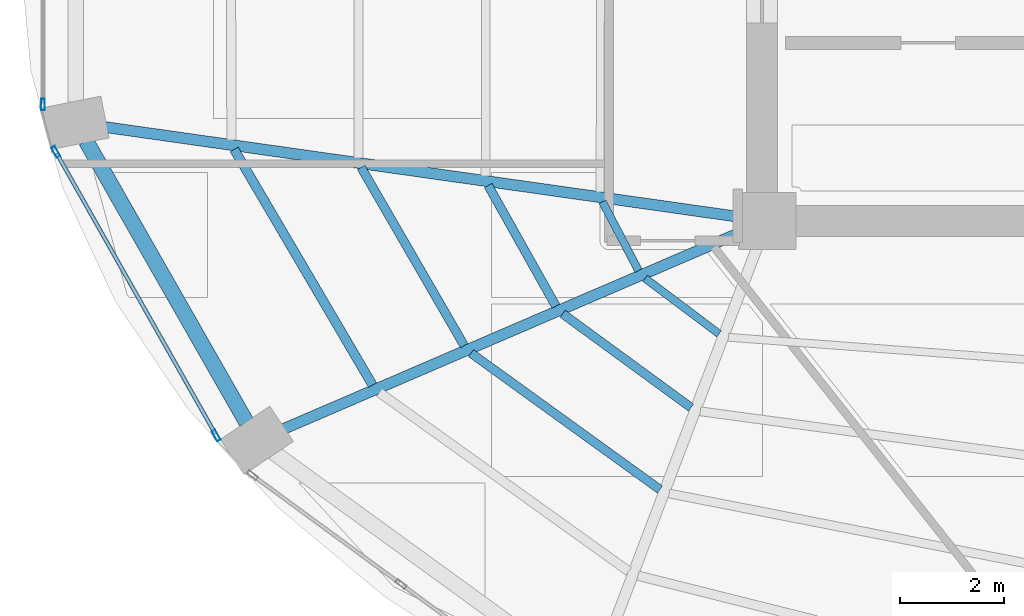
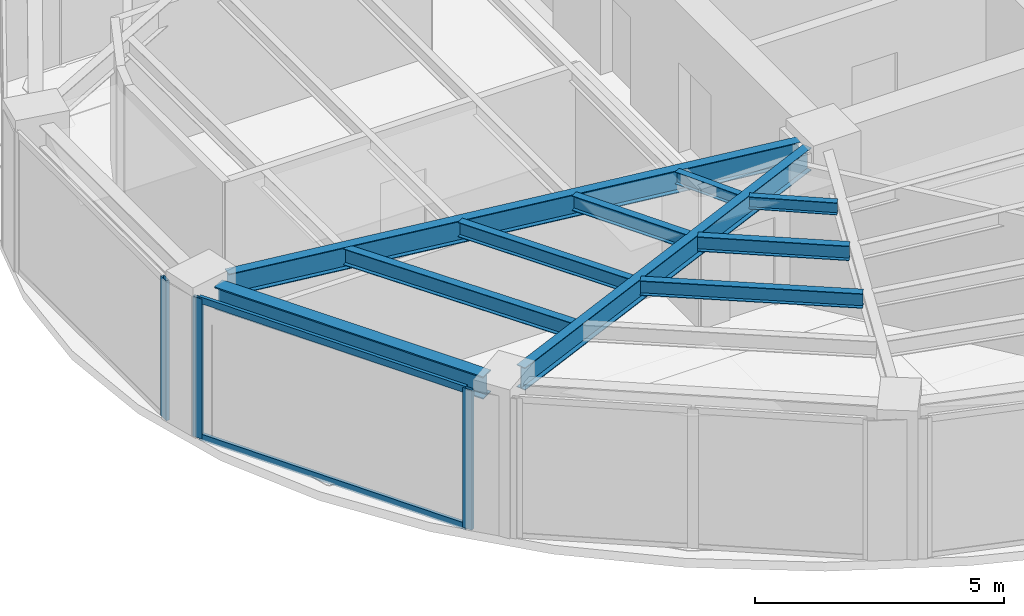
# One storey, part 3 of 20: 10 beams, 5 members, 2 elements without a shape of their own.
"""IFC4 building model written with IfcOpenShell, lengths in metres."""

import ifcopenshell
import ifcopenshell.guid

model = None  # the IFC model being written
_history = None  # IfcOwnerHistory: only IFC2X3 demands one
_inside = {}  # id of a spatial element -> (the spatial element, [elements in it])
_under = {}  # id of a project, library or spatial element -> (it, [spatial elements below it])
_declared = {}  # id of a project -> (the project, [libraries it declares])
_typed = {}  # id of a type object -> (the type object, [elements of that type])
_made_of = {}  # id of a material, layer set ... -> (it, [elements and type objects made of it])


def new_model(schema):
    """Start an empty IFC model of exactly this schema.

    Asked for "IFC4X3", IfcOpenShell would pick the latest addendum, in which some entities
    have other attributes; the version numbers below select the first issue.
    IFC2X3 requires an IfcOwnerHistory on every rooted entity: one is made here for all.
    """
    global model, _history
    if schema == "IFC4X3":
        model = ifcopenshell.file(schema_version=(4, 3, 0, 0))
    else:
        model = ifcopenshell.file(schema=schema)
    _inside.clear()
    _under.clear()
    _declared.clear()
    _typed.clear()
    _made_of.clear()
    _history = None
    if model.schema == "IFC2X3":
        org = make("IfcOrganization", Name="unknown")
        user = make(
            "IfcPersonAndOrganization",
            ThePerson=make("IfcPerson", FamilyName="unknown"),
            TheOrganization=org,
        )
        app = make(
            "IfcApplication",
            ApplicationDeveloper=org,
            Version="unknown",
            ApplicationFullName="unknown",
            ApplicationIdentifier="unknown",
        )
        _history = make(
            "IfcOwnerHistory",
            OwningUser=user,
            OwningApplication=app,
            ChangeAction="ADDED",
            CreationDate=0,
        )
    return model


def make(cls, **values):
    """One entity of the class cls with the attributes given. An attribute that is None is left unset."""
    return model.create_entity(
        cls, **{name: value for name, value in values.items() if value is not None}
    )


def rooted(cls, **values):
    """An entity with a GlobalId (a new one), such as an element, a storey or a relation."""
    return make(cls, GlobalId=ifcopenshell.guid.new(), OwnerHistory=_history, **values)


def si_unit(unit_type, name, prefix=None):
    """IfcSIUnit, for example si_unit("LENGTHUNIT", "METRE", prefix="MILLI")."""
    return make("IfcSIUnit", UnitType=unit_type, Prefix=prefix, Name=name)


def assignment(units):
    """IfcUnitAssignment: the units of a project."""
    return None if units is None else make("IfcUnitAssignment", Units=units)


def point(xyz):
    """IfcCartesianPoint."""
    return None if xyz is None else make("IfcCartesianPoint", Coordinates=xyz)


def direction(xyz):
    """IfcDirection."""
    return None if xyz is None else make("IfcDirection", DirectionRatios=xyz)


def frame(location, z_axis=None, x_axis=None):
    """IfcAxis2Placement3D, a coordinate frame: its origin and axes. An axis left out is left unset."""
    return make(
        "IfcAxis2Placement3D",
        Location=point(location),
        Axis=direction(z_axis),
        RefDirection=direction(x_axis),
    )


def frame_2d(location, x_axis=None):
    """IfcAxis2Placement2D, a coordinate frame in the plane: its origin and x axis."""
    return make(
        "IfcAxis2Placement2D", Location=point(location), RefDirection=direction(x_axis)
    )


def origin():
    """The frame at (0, 0, 0) with its axes left unset."""
    return frame((0.0, 0.0, 0.0))


def origin_2d():
    """The frame at (0, 0) in the plane with its x axis left unset."""
    return frame_2d((0.0, 0.0))


def place(relative_to, where):
    """IfcLocalPlacement: puts the frame where relative to a parent placement (None: the world)."""
    return make(
        "IfcLocalPlacement", PlacementRelTo=relative_to, RelativePlacement=where
    )


def context(
    kind, dimensions, precision=None, world=None, true_north=None, identifier=None
):
    """IfcGeometricRepresentationContext, for example the 3D "Model" context."""
    return make(
        "IfcGeometricRepresentationContext",
        ContextIdentifier=identifier,
        ContextType=kind,
        CoordinateSpaceDimension=dimensions,
        Precision=precision,
        WorldCoordinateSystem=world,
        TrueNorth=true_north,
    )


def subcontext(parent, identifier, kind, view, scale=None):
    """IfcGeometricRepresentationSubContext, for example "Body" below "Model"."""
    return make(
        "IfcGeometricRepresentationSubContext",
        ContextIdentifier=identifier,
        ContextType=kind,
        ParentContext=parent,
        TargetScale=scale,
        TargetView=view,
    )


def project(units=None, contexts=None):
    """IfcProject with its units and contexts."""
    return rooted(
        "IfcProject",
        Name="project",
        RepresentationContexts=contexts,
        UnitsInContext=assignment(units),
    )


def spatial(cls, under=None, at=None, **own):
    """A site, building, storey or space (cls), placed at a placement, below another one or the project."""
    s = rooted(cls, ObjectPlacement=at, **own)
    if under is not None:
        _under.setdefault(under.id(), (under, []))[1].append(s)
    return s


def profile(cls, at=None, kind="AREA", **sizes):
    """A parametric profile (cls). Its sizes go by their IFC names, for example OverallWidth=200.0."""
    return make(cls, ProfileType=kind, Position=at, **sizes)


def hollow_rectangle(**sizes):
    """IfcRectangleHollowProfileDef."""
    return profile("IfcRectangleHollowProfileDef", **sizes)


def i_section(**sizes):
    """IfcIShapeProfileDef."""
    return profile("IfcIShapeProfileDef", **sizes)


def extrude(swept, where, along, depth):
    """IfcExtrudedAreaSolid: the profile swept, set in the frame where, extruded along a direction by depth."""
    return make(
        "IfcExtrudedAreaSolid",
        SweptArea=swept,
        Position=where,
        ExtrudedDirection=direction(along),
        Depth=depth,
    )


def shape(context_of_items, identifier, shape_type, items):
    """IfcShapeRepresentation: the items that make up one representation, for example the "Body"."""
    return make(
        "IfcShapeRepresentation",
        ContextOfItems=context_of_items,
        RepresentationIdentifier=identifier,
        RepresentationType=shape_type,
        Items=items,
    )


def material(Name=None, Category=None):
    """IfcMaterial."""
    return make("IfcMaterial", Name=Name, Category=Category)


def layer(
    of_material, thickness, ventilated=None, Name=None, Category=None, Priority=None
):
    """IfcMaterialLayer: one layer of a wall or slab, of a material (None: an air gap)."""
    return make(
        "IfcMaterialLayer",
        Material=of_material,
        LayerThickness=thickness,
        IsVentilated=ventilated,
        Name=Name,
        Category=Category,
        Priority=Priority,
    )


def layer_set(layers, Name=None):
    """IfcMaterialLayerSet."""
    return make("IfcMaterialLayerSet", MaterialLayers=layers, LayerSetName=Name)


def material_profile(
    of_material, cross_section, Name=None, Category=None, Priority=None
):
    """IfcMaterialProfile: a cross section and its material."""
    return make(
        "IfcMaterialProfile",
        Name=Name,
        Material=of_material,
        Profile=cross_section,
        Priority=Priority,
        Category=Category,
    )


def profile_set(profiles, Name=None, composite=None):
    """IfcMaterialProfileSet."""
    return make(
        "IfcMaterialProfileSet",
        Name=Name,
        MaterialProfiles=profiles,
        CompositeProfile=composite,
    )


def made_of(thing, what):
    """Note that an element or type object is made of a material, layer set ...; save() writes the relation."""
    if what is not None:
        _made_of.setdefault(what.id(), (what, []))[1].append(thing)
    return thing


def type_object(cls, material=None, **own):
    """A type object (cls), such as IfcWallType, which elements share."""
    return made_of(rooted(cls, **own), material)


def element(
    cls,
    number,
    at=None,
    inside=None,
    cuts=None,
    type_object=None,
    material=None,
    context=None,
    identifier="Body",
    shape_type=None,
    held_by="IfcProductDefinitionShape",
    body=None,
    shapes=None,
    **own,
):
    """One element of the class cls, such as IfcWall. Its Tag is "e" and its number.

    at: its placement. inside: the storey or other place that contains it. cuts: it is an
    opening in that element (IfcRelVoidsElement). A single representation is given by context,
    identifier, shape_type and body (its items); several are given by shapes. held_by: the class
    of the entity that holds the representations. save() writes the other relations.
    """
    e = rooted(cls, Tag="e%d" % number, ObjectPlacement=at, **own)
    if body is not None:
        shapes = [shape(context, identifier, shape_type, body)]
    if shapes is not None:
        e.Representation = make(held_by, Representations=shapes)
    if inside is not None:
        _inside.setdefault(inside.id(), (inside, []))[1].append(e)
    if cuts is not None:
        rooted(
            "IfcRelVoidsElement", RelatingBuildingElement=cuts, RelatedOpeningElement=e
        )
    if type_object is not None:
        _typed.setdefault(type_object.id(), (type_object, []))[1].append(e)
    return made_of(e, material)


def aggregate(whole, parts):
    """IfcRelAggregates: a whole, such as a stair, and the parts it consists of."""
    return rooted("IfcRelAggregates", RelatingObject=whole, RelatedObjects=parts)


def save(model, path):
    """Write the relations noted so far, then the file.

    IfcRelAggregates (storeys below a building ...), IfcRelContainedInSpatialStructure (elements
    in a storey), IfcRelDefinesByType, IfcRelAssociatesMaterial and IfcRelDeclares: one each for
    every whole, place, type object, material and project.
    """
    for whole, parts in _under.values():
        aggregate(whole, parts)
    for where, things in _inside.values():
        rooted(
            "IfcRelContainedInSpatialStructure",
            RelatedElements=things,
            RelatingStructure=where,
        )
    for kind, things in _typed.values():
        rooted("IfcRelDefinesByType", RelatedObjects=things, RelatingType=kind)
    for what, things in _made_of.values():
        rooted("IfcRelAssociatesMaterial", RelatedObjects=things, RelatingMaterial=what)
    for by, libraries in _declared.values():
        rooted("IfcRelDeclares", RelatingContext=by, RelatedDefinitions=libraries)
    model.write(path)


model = new_model("IFC4")

# Units and contexts
model_context = context("Model", 3, precision=1e-05, world=origin(), true_north=direction((0.0, 1.0)))
body_context = subcontext(model_context, "Body", "Model", "MODEL_VIEW")
ifc_project = project(units=[si_unit("LENGTHUNIT", "METRE"), si_unit("AREAUNIT", "SQUARE_METRE"), si_unit("VOLUMEUNIT", "CUBIC_METRE"), si_unit("PLANEANGLEUNIT", "RADIAN"), si_unit("MASSUNIT", "GRAM", prefix="KILO")], contexts=[model_context])

# Site, building, storey
site_placement = place(None, origin())
site = spatial("IfcSite", under=ifc_project, at=site_placement, CompositionType="ELEMENT")
building_placement = place(site_placement, origin())
building = spatial("IfcBuilding", under=site, at=building_placement, Name="Lazwardi Medical Tower", CompositionType="ELEMENT")
storey_placement = place(building_placement, frame((0.0, 0.0, 149.23193359375)))
storey = spatial("IfcBuildingStorey", under=building, at=storey_placement, Name="L38", CompositionType="ELEMENT", Elevation=149.23193359375)

# Beams
ifc_material_1 = material(Name="Steel S355", Category="steel")
ifc_material_profile_1 = material_profile(ifc_material_1, i_section(OverallWidth=0.300048828125, OverallDepth=0.550048828125, WebThickness=0.014892578125, FlangeThickness=0.029052734375, at=origin_2d()), Name="HEB 550")
ifc_profile_set_1 = profile_set([ifc_material_profile_1], Name="Steel S355")
beam_type_1 = type_object("IfcBeamType", Name="BM-RB-Z3", PredefinedType="BEAM", material=ifc_profile_set_1)
beam_1_placement = place(storey_placement, frame((13.272216796875, 21.94091796875, 3.153076171875), z_axis=(0.495460926326, -0.868630226554, 0.0), x_axis=(0.868630226554, 0.495460926326, 0.0)))
element("IfcBeam", 1, at=beam_1_placement, inside=storey, type_object=beam_type_1, Name="Ring beam RB-04 B13 L38", PredefinedType="BEAM", context=body_context, shape_type="SweptSolid", body=[
    extrude(i_section(OverallWidth=0.300048828125, OverallDepth=0.550048828125, WebThickness=0.014892578125, FlangeThickness=0.029052734375, at=origin_2d()), origin(), (0.0, 0.0, 1.0), 6.24462890625),
])
ifc_material_profile_2 = material_profile(ifc_material_1, i_section(OverallWidth=0.2099609375, OverallDepth=0.550048828125, WebThickness=0.010986328125, FlangeThickness=0.01708984375, at=origin_2d()), Name="IPE 550")
ifc_profile_set_2 = profile_set([ifc_material_profile_2], Name="Steel S355")
beam_type_2 = type_object("IfcBeamType", Name="BM-RG-W2", PredefinedType="BEAM", material=ifc_profile_set_2)
beam_2_placement = place(storey_placement, frame((13.628662109375, 22.209716796875, 3.153076171875), z_axis=(0.99010958763, -0.140296131389, 0.0), x_axis=(0.140296131389, 0.99010958763, 0.0)))
element("IfcBeam", 2, at=beam_2_placement, inside=storey, type_object=beam_type_2, Name="Radial girder RG-03 R13 L38", PredefinedType="BEAM", context=body_context, shape_type="SweptSolid", body=[
    extrude(i_section(OverallWidth=0.2099609375, OverallDepth=0.550048828125, WebThickness=0.010986328125, FlangeThickness=0.01708984375, at=origin_2d()), origin(), (0.0, 0.0, 1.0), 12.364013671875),
])
beam_3_placement = place(storey_placement, frame((17.078857421875, 16.390380859375, 3.153076171875), z_axis=(0.918608156288, 0.395169653695, 0.0), x_axis=(-0.395169653695, 0.918608156288, 0.0)))
element("IfcBeam", 3, at=beam_3_placement, inside=storey, type_object=beam_type_2, Name="Radial girder RG-03 R14 L38", PredefinedType="BEAM", context=body_context, shape_type="SweptSolid", body=[
    extrude(i_section(OverallWidth=0.2099609375, OverallDepth=0.550048828125, WebThickness=0.010986328125, FlangeThickness=0.01708984375, at=origin_2d()), origin(), (0.0, 0.0, 1.0), 9.61181640625),
])
ifc_material_profile_3 = material_profile(ifc_material_1, i_section(OverallWidth=0.179931640625, OverallDepth=0.39990234375, WebThickness=0.008544921875, FlangeThickness=0.013427734375, at=origin_2d()), Name="IPE 400")
ifc_profile_set_3 = profile_set([ifc_material_profile_3], Name="Steel S355")
beam_type_3 = type_object("IfcBeamType", Name="BM-SJ-01", PredefinedType="JOIST", material=ifc_profile_set_3)
beam_4_placement = place(storey_placement, frame((16.127685546875, 21.776611328125, 3.22802734375), z_axis=(0.506420212881, -0.862286824662, 0.0), x_axis=(0.862286824662, 0.506420212881, 0.0)))
element("IfcBeam", 4, at=beam_4_placement, inside=storey, type_object=beam_type_3, Name="Secondary joist SJ-01 R1 B13 L38", PredefinedType="JOIST", context=body_context, shape_type="SweptSolid", body=[
    extrude(i_section(OverallWidth=0.179931640625, OverallDepth=0.39990234375, WebThickness=0.008544921875, FlangeThickness=0.013427734375, at=origin_2d()), origin(), (0.0, 0.0, 1.0), 5.265380859375),
])
ifc_material_profile_4 = material_profile(ifc_material_1, i_section(OverallWidth=0.169921875, OverallDepth=0.360107421875, WebThickness=0.008056640625, FlangeThickness=0.0126953125, at=origin_2d()), Name="IPE 360")
ifc_profile_set_4 = profile_set([ifc_material_profile_4], Name="Steel S355")
beam_type_4 = type_object("IfcBeamType", Name="BM-SJ-02", PredefinedType="JOIST", material=ifc_profile_set_4)
beam_5_placement = place(storey_placement, frame((18.5751953125, 21.42919921875, 3.248046875), z_axis=(0.500640648605, -0.865655209055, 0.0), x_axis=(0.865655209055, 0.500640648605, 0.0)))
element("IfcBeam", 5, at=beam_5_placement, inside=storey, type_object=beam_type_4, Name="Secondary joist SJ-02 R2 B13 L38", PredefinedType="JOIST", context=body_context, shape_type="SweptSolid", body=[
    extrude(i_section(OverallWidth=0.169921875, OverallDepth=0.360107421875, WebThickness=0.008056640625, FlangeThickness=0.0126953125, at=origin_2d()), origin(), (0.0, 0.0, 1.0), 3.965576171875),
])
beam_6_placement = place(storey_placement, frame((20.69189453125, 17.851318359375, 3.248046875), z_axis=(0.810738039179, -0.585409114917, 0.0), x_axis=(0.585409114917, 0.810738039179, 0.0)))
element("IfcBeam", 6, at=beam_6_placement, inside=storey, type_object=beam_type_4, Name="Secondary joist SJ-02 R2 B14 L38", PredefinedType="JOIST", context=body_context, shape_type="SweptSolid", body=[
    extrude(i_section(OverallWidth=0.169921875, OverallDepth=0.360107421875, WebThickness=0.008056640625, FlangeThickness=0.0126953125, at=origin_2d()), origin(), (0.0, 0.0, 1.0), 4.48779296875),
])
beam_7_placement = place(storey_placement, frame((21.022705078125, 21.081787109375, 3.248046875), z_axis=(0.489408945026, -0.872054404569, 0.0), x_axis=(0.872054404569, 0.489408945026, 0.0)))
element("IfcBeam", 7, at=beam_7_placement, inside=storey, type_object=beam_type_4, Name="Secondary joist SJ-02 R3 B13 L38", PredefinedType="JOIST", context=body_context, shape_type="SweptSolid", body=[
    extrude(i_section(OverallWidth=0.169921875, OverallDepth=0.360107421875, WebThickness=0.008056640625, FlangeThickness=0.0126953125, at=origin_2d()), origin(), (0.0, 0.0, 1.0), 2.666259765625),
])
beam_8_placement = place(storey_placement, frame((22.45751953125, 18.6103515625, 3.248046875), z_axis=(0.807285959008, -0.590160470033, 0.0), x_axis=(0.590160470033, 0.807285959008, 0.0)))
element("IfcBeam", 8, at=beam_8_placement, inside=storey, type_object=beam_type_4, Name="Secondary joist SJ-02 R3 B14 L38", PredefinedType="JOIST", context=body_context, shape_type="SweptSolid", body=[
    extrude(i_section(OverallWidth=0.169921875, OverallDepth=0.360107421875, WebThickness=0.008056640625, FlangeThickness=0.0126953125, at=origin_2d()), origin(), (0.0, 0.0, 1.0), 3.06298828125),
])
ifc_material_profile_5 = material_profile(ifc_material_1, i_section(OverallWidth=0.14990234375, OverallDepth=0.300048828125, WebThickness=0.007080078125, FlangeThickness=0.0107421875, at=origin_2d()), Name="IPE 300")
ifc_profile_set_5 = profile_set([ifc_material_profile_5], Name="Steel S355")
beam_type_5 = type_object("IfcBeamType", Name="BM-SJ-03", PredefinedType="JOIST", material=ifc_profile_set_5)
beam_9_placement = place(storey_placement, frame((23.2236328125, 20.768310546875, 3.278076171875), z_axis=(0.464469748171, -0.885588986513, 0.0), x_axis=(0.885588986513, 0.464469748171, 0.0)))
element("IfcBeam", 9, at=beam_9_placement, inside=storey, type_object=beam_type_5, Name="Secondary joist SJ-03 R4 B13 L38", PredefinedType="JOIST", context=body_context, shape_type="SweptSolid", body=[
    extrude(i_section(OverallWidth=0.14990234375, OverallDepth=0.300048828125, WebThickness=0.007080078125, FlangeThickness=0.0107421875, at=origin_2d()), origin(), (0.0, 0.0, 1.0), 1.498046875),
])
beam_10_placement = place(storey_placement, frame((24.0458984375, 19.29296875, 3.278076171875), z_axis=(0.799884834751, -0.600153522972, 0.0), x_axis=(0.600153522972, 0.799884834751, 0.0)))
element("IfcBeam", 10, at=beam_10_placement, inside=storey, type_object=beam_type_5, Name="Secondary joist SJ-03 R4 B14 L38", PredefinedType="JOIST", context=body_context, shape_type="SweptSolid", body=[
    extrude(i_section(OverallWidth=0.14990234375, OverallDepth=0.300048828125, WebThickness=0.007080078125, FlangeThickness=0.0107421875, at=origin_2d()), origin(), (0.0, 0.0, 1.0), 1.781005859375),
])

# Curtain wall, member
ifc_material_2 = material(Name="Anodised bronze aluminium and solar control glazing", Category="aluminium")
ifc_layer = layer(ifc_material_2, 0.195068359375)
ifc_layer_set = layer_set([ifc_layer], Name="Anodised bronze aluminium and solar control glazing")
curtain_wall_type = type_object("IfcCurtainWallType", Name="CW-SYS-03", PredefinedType="NOTDEFINED", material=ifc_layer_set)
curtain_wall_1_placement = place(storey_placement, origin())
curtain_wall_1 = element("IfcCurtainWall", 11, at=curtain_wall_1_placement, inside=storey, type_object=curtain_wall_type, Name="L38 Unitised bronze curtain wall CW-03", PredefinedType="NOTDEFINED")
ifc_material_3 = material(Name="Anodised bronze aluminium", Category="aluminium")
ifc_material_profile_6 = material_profile(ifc_material_3, hollow_rectangle(XDim=0.074951171875, YDim=0.219970703125, WallThickness=0.00390625, at=origin_2d()), Name="ALU-MULLION 220x75x4")
ifc_profile_set_6 = profile_set([ifc_material_profile_6], Name="Anodised bronze aluminium")
member_type_1 = type_object("IfcMemberType", Name="CW-MUL-01", PredefinedType="MULLION", material=ifc_profile_set_6)
member_1_placement = place(storey_placement, frame((12.4423828125, 22.64208984375, 0.0), z_axis=(0.0, 0.0, 1.0), x_axis=(1.0, 0.0, 0.0)))
member_1 = element("IfcMember", 12, at=member_1_placement, type_object=member_type_1, Name="CW-03 mullion 2", PredefinedType="MULLION", context=body_context, shape_type="SweptSolid", body=[
    extrude(hollow_rectangle(XDim=0.074951171875, YDim=0.219970703125, WallThickness=0.00390625, at=origin_2d()), origin(), (0.0, 0.0, 1.0), 3.427978515625),
])
aggregate(curtain_wall_1, [member_1])

# Curtain wall, members
curtain_wall_2_placement = place(storey_placement, origin())
curtain_wall_2 = element("IfcCurtainWall", 13, at=curtain_wall_2_placement, inside=storey, type_object=curtain_wall_type, Name="L38 Unitised bronze curtain wall CW-03", PredefinedType="NOTDEFINED")
member_2_placement = place(storey_placement, frame((12.68896484375, 21.732666015625, 0.0), z_axis=(0.0, 0.0, 1.0), x_axis=(0.870418989303, 0.492311672683, 0.0)))
member_2 = element("IfcMember", 14, at=member_2_placement, type_object=member_type_1, Name="CW-03 mullion 1", PredefinedType="MULLION", context=body_context, shape_type="SweptSolid", body=[
    extrude(hollow_rectangle(XDim=0.074951171875, YDim=0.219970703125, WallThickness=0.00390625, at=origin_2d()), origin(), (0.0, 0.0, 1.0), 3.427978515625),
])
member_3_placement = place(storey_placement, frame((15.782470703125, 16.26318359375, 0.0), z_axis=(0.0, 0.0, 1.0), x_axis=(0.870418989303, 0.492311672683, 0.0)))
member_3 = element("IfcMember", 15, at=member_3_placement, type_object=member_type_1, Name="CW-03 mullion 2", PredefinedType="MULLION", context=body_context, shape_type="SweptSolid", body=[
    extrude(hollow_rectangle(XDim=0.074951171875, YDim=0.219970703125, WallThickness=0.00390625, at=origin_2d()), origin(), (0.0, 0.0, 1.0), 3.427978515625),
])
ifc_material_profile_7 = material_profile(ifc_material_3, hollow_rectangle(XDim=0.074951171875, YDim=0.159912109375, WallThickness=0.00390625, at=origin_2d()), Name="ALU-TRANSOM 160x75x4")
ifc_profile_set_7 = profile_set([ifc_material_profile_7], Name="Anodised bronze aluminium")
member_type_2 = type_object("IfcMemberType", Name="CW-TRN-01", PredefinedType="USERDEFINED", material=ifc_profile_set_7)
member_4_placement = place(storey_placement, frame((12.707275390625, 21.7001953125, 0.03759765625), z_axis=(0.492306010269, -0.870422191958, 0.0), x_axis=(0.870422191958, 0.492306010269, 0.0)))
member_4 = element("IfcMember", 16, at=member_4_placement, type_object=member_type_2, Name="CW-03 transom 1.1", ObjectType="TRANSOM", PredefinedType="USERDEFINED", context=body_context, shape_type="SweptSolid", body=[
    extrude(hollow_rectangle(XDim=0.074951171875, YDim=0.159912109375, WallThickness=0.00390625, at=origin_2d()), origin(), (0.0, 0.0, 1.0), 6.208740234375),
])
member_5_placement = place(storey_placement, frame((12.707275390625, 21.7001953125, 3.390625), z_axis=(0.492306010269, -0.870422191958, 0.0), x_axis=(0.870422191958, 0.492306010269, 0.0)))
member_5 = element("IfcMember", 17, at=member_5_placement, type_object=member_type_2, Name="CW-03 transom 1.2", ObjectType="TRANSOM", PredefinedType="USERDEFINED", context=body_context, shape_type="SweptSolid", body=[
    extrude(hollow_rectangle(XDim=0.074951171875, YDim=0.159912109375, WallThickness=0.00390625, at=origin_2d()), origin(), (0.0, 0.0, 1.0), 6.208740234375),
])
aggregate(curtain_wall_2, [member_2, member_3, member_4, member_5])

save(model, "model.ifc")
